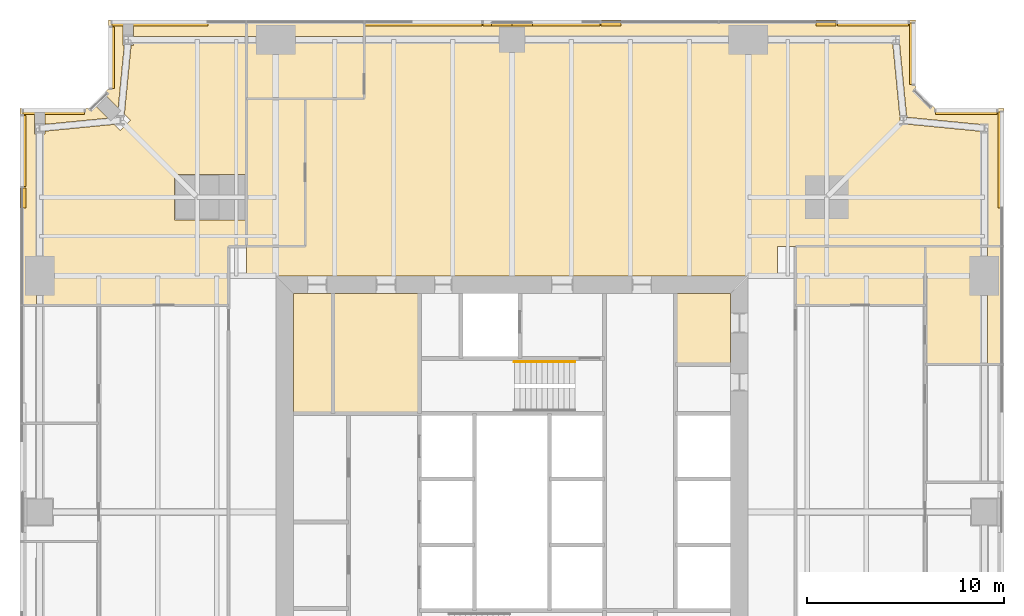
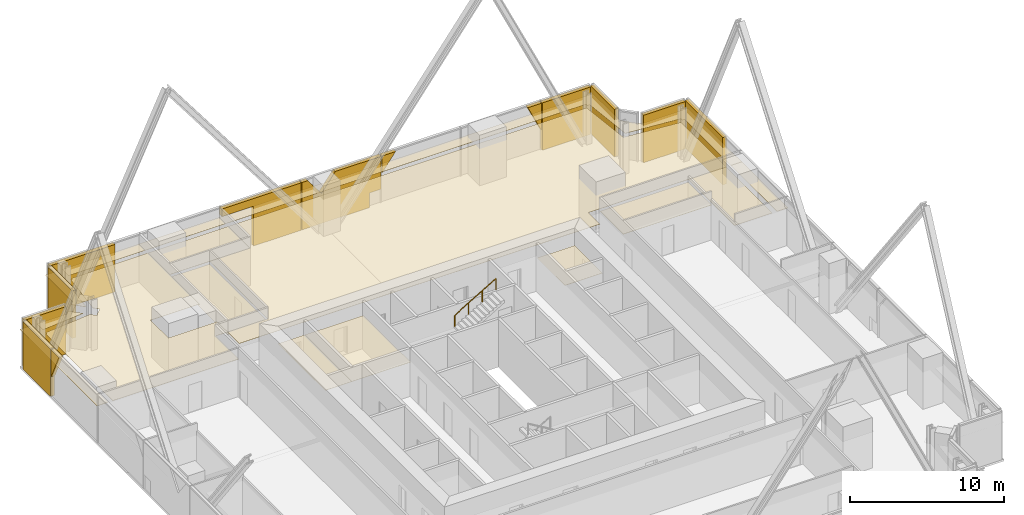
# One storey, part 13 of 13: 29 coverings, 1 railing.
"""IFC4 building model written with IfcOpenShell, lengths in metres."""

import ifcopenshell
import ifcopenshell.guid

model = None  # the IFC model being written
_history = None  # IfcOwnerHistory: only IFC2X3 demands one
_inside = {}  # id of a spatial element -> (the spatial element, [elements in it])
_under = {}  # id of a project, library or spatial element -> (it, [spatial elements below it])
_declared = {}  # id of a project -> (the project, [libraries it declares])
_typed = {}  # id of a type object -> (the type object, [elements of that type])
_made_of = {}  # id of a material, layer set ... -> (it, [elements and type objects made of it])


def new_model(schema):
    """Start an empty IFC model of exactly this schema.

    Asked for "IFC4X3", IfcOpenShell would pick the latest addendum, in which some entities
    have other attributes; the version numbers below select the first issue.
    IFC2X3 requires an IfcOwnerHistory on every rooted entity: one is made here for all.
    """
    global model, _history
    if schema == "IFC4X3":
        model = ifcopenshell.file(schema_version=(4, 3, 0, 0))
    else:
        model = ifcopenshell.file(schema=schema)
    _inside.clear()
    _under.clear()
    _declared.clear()
    _typed.clear()
    _made_of.clear()
    _history = None
    if model.schema == "IFC2X3":
        org = make("IfcOrganization", Name="unknown")
        user = make(
            "IfcPersonAndOrganization",
            ThePerson=make("IfcPerson", FamilyName="unknown"),
            TheOrganization=org,
        )
        app = make(
            "IfcApplication",
            ApplicationDeveloper=org,
            Version="unknown",
            ApplicationFullName="unknown",
            ApplicationIdentifier="unknown",
        )
        _history = make(
            "IfcOwnerHistory",
            OwningUser=user,
            OwningApplication=app,
            ChangeAction="ADDED",
            CreationDate=0,
        )
    return model


def make(cls, **values):
    """One entity of the class cls with the attributes given. An attribute that is None is left unset."""
    return model.create_entity(
        cls, **{name: value for name, value in values.items() if value is not None}
    )


def rooted(cls, **values):
    """An entity with a GlobalId (a new one), such as an element, a storey or a relation."""
    return make(cls, GlobalId=ifcopenshell.guid.new(), OwnerHistory=_history, **values)


def si_unit(unit_type, name, prefix=None):
    """IfcSIUnit, for example si_unit("LENGTHUNIT", "METRE", prefix="MILLI")."""
    return make("IfcSIUnit", UnitType=unit_type, Prefix=prefix, Name=name)


def assignment(units):
    """IfcUnitAssignment: the units of a project."""
    return None if units is None else make("IfcUnitAssignment", Units=units)


def point(xyz):
    """IfcCartesianPoint."""
    return None if xyz is None else make("IfcCartesianPoint", Coordinates=xyz)


def direction(xyz):
    """IfcDirection."""
    return None if xyz is None else make("IfcDirection", DirectionRatios=xyz)


def frame(location, z_axis=None, x_axis=None):
    """IfcAxis2Placement3D, a coordinate frame: its origin and axes. An axis left out is left unset."""
    return make(
        "IfcAxis2Placement3D",
        Location=point(location),
        Axis=direction(z_axis),
        RefDirection=direction(x_axis),
    )


def frame_2d(location, x_axis=None):
    """IfcAxis2Placement2D, a coordinate frame in the plane: its origin and x axis."""
    return make(
        "IfcAxis2Placement2D", Location=point(location), RefDirection=direction(x_axis)
    )


def origin():
    """The frame at (0, 0, 0) with its axes left unset."""
    return frame((0.0, 0.0, 0.0))


def origin_2d():
    """The frame at (0, 0) in the plane with its x axis left unset."""
    return frame_2d((0.0, 0.0))


def place(relative_to, where):
    """IfcLocalPlacement: puts the frame where relative to a parent placement (None: the world)."""
    return make(
        "IfcLocalPlacement", PlacementRelTo=relative_to, RelativePlacement=where
    )


def context(
    kind, dimensions, precision=None, world=None, true_north=None, identifier=None
):
    """IfcGeometricRepresentationContext, for example the 3D "Model" context."""
    return make(
        "IfcGeometricRepresentationContext",
        ContextIdentifier=identifier,
        ContextType=kind,
        CoordinateSpaceDimension=dimensions,
        Precision=precision,
        WorldCoordinateSystem=world,
        TrueNorth=true_north,
    )


def subcontext(parent, identifier, kind, view, scale=None):
    """IfcGeometricRepresentationSubContext, for example "Body" below "Model"."""
    return make(
        "IfcGeometricRepresentationSubContext",
        ContextIdentifier=identifier,
        ContextType=kind,
        ParentContext=parent,
        TargetScale=scale,
        TargetView=view,
    )


def project(units=None, contexts=None):
    """IfcProject with its units and contexts."""
    return rooted(
        "IfcProject",
        Name="project",
        RepresentationContexts=contexts,
        UnitsInContext=assignment(units),
    )


def spatial(cls, under=None, at=None, **own):
    """A site, building, storey or space (cls), placed at a placement, below another one or the project."""
    s = rooted(cls, ObjectPlacement=at, **own)
    if under is not None:
        _under.setdefault(under.id(), (under, []))[1].append(s)
    return s


def polyline(points):
    """IfcPolyline through the points."""
    return make("IfcPolyline", Points=[point(p) for p in points])


def profile(cls, at=None, kind="AREA", **sizes):
    """A parametric profile (cls). Its sizes go by their IFC names, for example OverallWidth=200.0."""
    return make(cls, ProfileType=kind, Position=at, **sizes)


def circle(**sizes):
    """IfcCircleProfileDef."""
    return profile("IfcCircleProfileDef", **sizes)


def outline(outer, holes=None, kind="AREA"):
    """IfcArbitraryClosedProfileDef: a profile drawn as a closed curve; with holes, ...WithVoids."""
    if holes is None:
        return make("IfcArbitraryClosedProfileDef", ProfileType=kind, OuterCurve=outer)
    return make(
        "IfcArbitraryProfileDefWithVoids",
        ProfileType=kind,
        OuterCurve=outer,
        InnerCurves=holes,
    )


def extrude(swept, where, along, depth):
    """IfcExtrudedAreaSolid: the profile swept, set in the frame where, extruded along a direction by depth."""
    return make(
        "IfcExtrudedAreaSolid",
        SweptArea=swept,
        Position=where,
        ExtrudedDirection=direction(along),
        Depth=depth,
    )


def shape(context_of_items, identifier, shape_type, items):
    """IfcShapeRepresentation: the items that make up one representation, for example the "Body"."""
    return make(
        "IfcShapeRepresentation",
        ContextOfItems=context_of_items,
        RepresentationIdentifier=identifier,
        RepresentationType=shape_type,
        Items=items,
    )


def material(Name=None, Category=None):
    """IfcMaterial."""
    return make("IfcMaterial", Name=Name, Category=Category)


def layer(
    of_material, thickness, ventilated=None, Name=None, Category=None, Priority=None
):
    """IfcMaterialLayer: one layer of a wall or slab, of a material (None: an air gap)."""
    return make(
        "IfcMaterialLayer",
        Material=of_material,
        LayerThickness=thickness,
        IsVentilated=ventilated,
        Name=Name,
        Category=Category,
        Priority=Priority,
    )


def layer_set(layers, Name=None):
    """IfcMaterialLayerSet."""
    return make("IfcMaterialLayerSet", MaterialLayers=layers, LayerSetName=Name)


def made_of(thing, what):
    """Note that an element or type object is made of a material, layer set ...; save() writes the relation."""
    if what is not None:
        _made_of.setdefault(what.id(), (what, []))[1].append(thing)
    return thing


def type_object(cls, material=None, **own):
    """A type object (cls), such as IfcWallType, which elements share."""
    return made_of(rooted(cls, **own), material)


def element(
    cls,
    number,
    at=None,
    inside=None,
    cuts=None,
    type_object=None,
    material=None,
    context=None,
    identifier="Body",
    shape_type=None,
    held_by="IfcProductDefinitionShape",
    body=None,
    shapes=None,
    **own,
):
    """One element of the class cls, such as IfcWall. Its Tag is "e" and its number.

    at: its placement. inside: the storey or other place that contains it. cuts: it is an
    opening in that element (IfcRelVoidsElement). A single representation is given by context,
    identifier, shape_type and body (its items); several are given by shapes. held_by: the class
    of the entity that holds the representations. save() writes the other relations.
    """
    e = rooted(cls, Tag="e%d" % number, ObjectPlacement=at, **own)
    if body is not None:
        shapes = [shape(context, identifier, shape_type, body)]
    if shapes is not None:
        e.Representation = make(held_by, Representations=shapes)
    if inside is not None:
        _inside.setdefault(inside.id(), (inside, []))[1].append(e)
    if cuts is not None:
        rooted(
            "IfcRelVoidsElement", RelatingBuildingElement=cuts, RelatedOpeningElement=e
        )
    if type_object is not None:
        _typed.setdefault(type_object.id(), (type_object, []))[1].append(e)
    return made_of(e, material)


def aggregate(whole, parts):
    """IfcRelAggregates: a whole, such as a stair, and the parts it consists of."""
    return rooted("IfcRelAggregates", RelatingObject=whole, RelatedObjects=parts)


def save(model, path):
    """Write the relations noted so far, then the file.

    IfcRelAggregates (storeys below a building ...), IfcRelContainedInSpatialStructure (elements
    in a storey), IfcRelDefinesByType, IfcRelAssociatesMaterial and IfcRelDeclares: one each for
    every whole, place, type object, material and project.
    """
    for whole, parts in _under.values():
        aggregate(whole, parts)
    for where, things in _inside.values():
        rooted(
            "IfcRelContainedInSpatialStructure",
            RelatedElements=things,
            RelatingStructure=where,
        )
    for kind, things in _typed.values():
        rooted("IfcRelDefinesByType", RelatedObjects=things, RelatingType=kind)
    for what, things in _made_of.values():
        rooted("IfcRelAssociatesMaterial", RelatedObjects=things, RelatingMaterial=what)
    for by, libraries in _declared.values():
        rooted("IfcRelDeclares", RelatingContext=by, RelatedDefinitions=libraries)
    model.write(path)


model = new_model("IFC4")

# Units and contexts
model_context = context("Model", 3, precision=1e-05, world=origin(), true_north=direction((0.0, 1.0)))
body_context = subcontext(model_context, "Body", "Model", "MODEL_VIEW")
ifc_project = project(units=[si_unit("LENGTHUNIT", "METRE"), si_unit("AREAUNIT", "SQUARE_METRE"), si_unit("VOLUMEUNIT", "CUBIC_METRE"), si_unit("PLANEANGLEUNIT", "RADIAN"), si_unit("MASSUNIT", "GRAM", prefix="KILO")], contexts=[model_context])

# Site, building, storey
site_placement = place(None, origin())
site = spatial("IfcSite", under=ifc_project, at=site_placement, CompositionType="ELEMENT")
building_placement = place(site_placement, origin())
building = spatial("IfcBuilding", under=site, at=building_placement, Name="Fenwick Lantern Interchange", CompositionType="ELEMENT")
storey_placement = place(building_placement, frame((0.0, 0.0, 146.39990234375)))
storey = spatial("IfcBuildingStorey", under=building, at=storey_placement, Name="L34", CompositionType="ELEMENT", Elevation=146.39990234375)

# Coverings
ifc_material_1 = material(Name="Mineral fibre acoustic tile on suspended grid")
ifc_layer_1 = layer(ifc_material_1, 0.02001953125)
ifc_layer_set_1 = layer_set([ifc_layer_1], Name="ACOUSTIC TILE CEILING 20")
covering_type_1 = type_object("IfcCoveringType", Name="ACOUSTIC TILE CEILING 20", PredefinedType="CEILING", material=ifc_layer_set_1)
covering_1_placement = place(storey_placement, frame((0.0, 0.0, 2.900146484375)))
element("IfcCovering", 1, at=covering_1_placement, inside=storey, type_object=covering_type_1, Name="Office ceiling", PredefinedType="CEILING", context=body_context, shape_type="SweptSolid", body=[
    extrude(outline(polyline([(46.0, 32.5), (48.82763671875, 32.5), (48.82763671875, 37.0), (48.82763671875, 38.5), (46.0, 38.5), (46.0, 32.5)])), origin(), (0.0, 0.0, 1.0), 0.02001953125),
])
covering_2_placement = place(storey_placement, frame((0.0, 0.0, 2.900146484375)))
element("IfcCovering", 2, at=covering_2_placement, inside=storey, type_object=covering_type_1, Name="Office ceiling", PredefinedType="CEILING", context=body_context, shape_type="SweptSolid", body=[
    extrude(outline(polyline([(50.0, 38.5), (49.17236328125, 38.5), (49.17236328125, 37.0), (49.17236328125, 32.5), (50.0, 32.5), (50.0, 38.5)])), origin(), (0.0, 0.0, 1.0), 0.02001953125),
])
covering_3_placement = place(storey_placement, frame((0.0, 0.0, 2.7001953125)))
element("IfcCovering", 3, at=covering_3_placement, inside=storey, type_object=covering_type_1, Name="Print and copy room ceiling", PredefinedType="CEILING", context=body_context, shape_type="SweptSolid", body=[
    extrude(outline(polyline([(46.0, 35.5), (46.0, 38.5), (39.39990234375, 38.5), (39.39990234375, 35.5), (46.0, 35.5)])), origin(), (0.0, 0.0, 1.0), 0.02001953125),
])
covering_4_placement = place(storey_placement, frame((0.0, 0.0, 2.900146484375)))
element("IfcCovering", 4, at=covering_4_placement, inside=storey, type_object=covering_type_1, Name="Open office ceiling", PredefinedType="CEILING", context=body_context, shape_type="SweptSolid", body=[
    extrude(outline(polyline([(38.5, 38.5), (48.82763671875, 38.5), (48.82763671875, 44.343505859375), (44.88330078125, 44.728515625), (44.89990234375, 44.89990234375), (44.728515625, 44.88330078125), (44.343505859375, 48.82763671875), (37.0, 48.82763671875), (25.0, 48.82763671875), (17.5, 48.82763671875), (17.5, 46.0), (14.5, 46.0), (14.5, 38.5), (11.5, 38.5), (11.5, 37.0), (38.5, 37.0), (38.5, 38.5)])), origin(), (0.0, 0.0, 1.0), 0.02001953125),
])
covering_5_placement = place(storey_placement, frame((0.0, 0.0, 2.900146484375)))
element("IfcCovering", 5, at=covering_5_placement, inside=storey, type_object=covering_type_1, Name="Open office ceiling", PredefinedType="CEILING", context=body_context, shape_type="SweptSolid", body=[
    extrude(outline(polyline([(45.5, 46.5), (45.5, 50.0), (17.5, 50.0), (17.5, 49.17236328125), (25.0, 49.17236328125), (37.0, 49.17236328125), (44.5, 49.17236328125), (44.5, 49.0), (44.671630859375, 49.016845703125), (45.057861328125, 45.057861328125), (49.016845703125, 44.671630859375), (49.0, 44.5), (49.17236328125, 44.5), (49.17236328125, 38.5), (50.0, 38.5), (50.0, 45.5), (46.5, 45.5), (45.5, 46.5)])), origin(), (0.0, 0.0, 1.0), 0.02001953125),
])
covering_6_placement = place(storey_placement, frame((0.0, 0.0, 2.900146484375)))
element("IfcCovering", 6, at=covering_6_placement, inside=storey, type_object=covering_type_1, Name="Meeting room ceiling", PredefinedType="CEILING", context=body_context, shape_type="SweptSolid", body=[
    extrude(outline(polyline([(17.5, 46.0), (17.5, 48.82763671875), (13.0, 48.82763671875), (11.5, 48.82763671875), (11.5, 46.0), (17.5, 46.0)])), origin(), (0.0, 0.0, 1.0), 0.02001953125),
])
covering_7_placement = place(storey_placement, frame((0.0, 0.0, 2.900146484375)))
element("IfcCovering", 7, at=covering_7_placement, inside=storey, type_object=covering_type_1, Name="Meeting room ceiling", PredefinedType="CEILING", context=body_context, shape_type="SweptSolid", body=[
    extrude(outline(polyline([(11.5, 50.0), (11.5, 49.17236328125), (13.0, 49.17236328125), (17.5, 49.17236328125), (17.5, 50.0), (11.5, 50.0)])), origin(), (0.0, 0.0, 1.0), 0.02001953125),
])
covering_8_placement = place(storey_placement, frame((0.0, 0.0, 2.900146484375)))
element("IfcCovering", 8, at=covering_8_placement, inside=storey, type_object=covering_type_1, Name="Office study ceiling", PredefinedType="CEILING", context=body_context, shape_type="SweptSolid", body=[
    extrude(outline(polyline([(5.76220703125, 48.71240234375), (5.645263671875, 48.71240234375), (5.303955078125, 45.21630859375), (5.620361328125, 44.89990234375), (5.10009765625, 44.379638671875), (4.78369140625, 44.696044921875), (1.26220703125, 44.352294921875), (1.26220703125, 44.21240234375), (1.17236328125, 44.21240234375), (1.17236328125, 37.0), (1.17236328125, 35.5), (10.60009765625, 35.5), (10.60009765625, 38.5), (11.5, 38.5), (11.5, 39.85009765625), (7.85009765625, 39.85009765625), (7.85009765625, 42.14990234375), (11.5, 42.14990234375), (11.5, 48.82763671875), (5.76220703125, 48.82763671875), (5.76220703125, 48.71240234375)])), origin(), (0.0, 0.0, 1.0), 0.02001953125),
])
covering_9_placement = place(storey_placement, frame((0.0, 0.0, 2.900146484375)))
element("IfcCovering", 9, at=covering_9_placement, inside=storey, type_object=covering_type_1, Name="Office study ceiling", PredefinedType="CEILING", context=body_context, shape_type="SweptSolid", body=[
    extrude(outline(polyline([(0.0, 35.5), (0.82763671875, 35.5), (0.82763671875, 37.0), (0.82763671875, 44.21240234375), (0.73779296875, 44.21240234375), (0.73779296875, 45.5), (0.0, 45.5), (0.0, 35.5)])), origin(), (0.0, 0.0, 1.0), 0.02001953125),
])
covering_10_placement = place(storey_placement, frame((0.0, 0.0, 2.900146484375)))
element("IfcCovering", 10, at=covering_10_placement, inside=storey, type_object=covering_type_1, Name="Office study ceiling", PredefinedType="CEILING", context=body_context, shape_type="SweptSolid", body=[
    extrude(outline(polyline([(5.76220703125, 50.0), (5.76220703125, 49.17236328125), (11.5, 49.17236328125), (11.5, 50.0), (5.76220703125, 50.0)])), origin(), (0.0, 0.0, 1.0), 0.02001953125),
])
covering_11_placement = place(storey_placement, frame((0.0, 0.0, 2.900146484375)))
element("IfcCovering", 11, at=covering_11_placement, inside=storey, type_object=covering_type_1, Name="Office study ceiling", PredefinedType="CEILING", context=body_context, shape_type="SweptSolid", body=[
    extrude(outline(polyline([(5.298828125, 48.71240234375), (5.23779296875, 48.71240234375), (5.23779296875, 50.0), (4.5, 50.0), (4.5, 46.5), (4.26025390625, 46.26025390625), (4.988525390625, 45.531982421875), (5.298828125, 48.71240234375)])), origin(), (0.0, 0.0, 1.0), 0.02001953125),
])
covering_12_placement = place(storey_placement, frame((0.0, 0.0, 2.900146484375)))
element("IfcCovering", 12, at=covering_12_placement, inside=storey, type_object=covering_type_1, Name="Office study ceiling", PredefinedType="CEILING", context=body_context, shape_type="SweptSolid", body=[
    extrude(outline(polyline([(1.26220703125, 45.5), (1.26220703125, 44.69873046875), (4.468017578125, 45.011474609375), (3.73974609375, 45.73974609375), (3.5, 45.5), (1.26220703125, 45.5)])), origin(), (0.0, 0.0, 1.0), 0.02001953125),
])
ifc_material_2 = material(Name="Granite cladding, warm grey flamed finish, on aluminium carrier frame", Category="masonry")
ifc_layer_2 = layer(ifc_material_2, 0.300048828125)
ifc_layer_set_2 = layer_set([ifc_layer_2], Name="BRACE CASING PANEL 300")
covering_type_2 = type_object("IfcCoveringType", Name="BRACE CASING PANEL 300", PredefinedType="CLADDING", material=ifc_layer_set_2)
covering_13_placement = place(storey_placement, frame((49.89990234375, 4.60009765625, 0.0), z_axis=(0.0, 0.0, 1.0), x_axis=(0.0, 1.0, 0.0)))
element("IfcCovering", 13, at=covering_13_placement, inside=storey, type_object=covering_type_2, Name="Brace casing 05 bay 06a", PredefinedType="CLADDING", context=body_context, shape_type="SweptSolid", body=[
    extrude(outline(polyline([(35.8525390625, 0.0), (40.735107421875, 0.0), (40.735107421875, 3.75), (35.8525390625, 3.75), (35.8525390625, 0.0)])), frame((0.0, 0.2001953125, 0.0), z_axis=(0.0, -1.0, 0.0), x_axis=(1.0, 0.0, 0.0)), (0.0, 0.0, 1.0), 0.300048828125),
])
for number, where, z_axis, x_axis, name in (
    (14, (49.89990234375, 45.39990234375, 0.0), (0.0, 0.0, 1.0), (-1.0, 0.0, 0.0), "Brace casing 06 bay 00a"),
    (15, (45.39990234375, 46.45849609375, 0.0), (0.0, 0.0, 1.0), (0.0, 1.0, 0.0), "Brace casing 08 bay 00a"),
):
    element("IfcCovering", number, at=place(storey_placement, frame(where, z_axis=z_axis, x_axis=x_axis)), inside=storey, type_object=covering_type_2, Name=name, PredefinedType="CLADDING", context=body_context, shape_type="SweptSolid", body=[
        extrude(outline(polyline([(0.264892578125, 0.0), (3.37646484375, 0.0), (3.37646484375, 3.75), (0.264892578125, 3.75), (0.264892578125, 0.0)])), frame((0.0, 0.2001953125, 0.0), z_axis=(0.0, -1.0, 0.0), x_axis=(1.0, 0.0, 0.0)), (0.0, 0.0, 1.0), 0.300048828125),
    ])
covering_14_placement = place(storey_placement, frame((45.39990234375, 49.89990234375, 0.0), z_axis=(0.0, 0.0, 1.0), x_axis=(-1.0, 0.0, 0.0)))
element("IfcCovering", 16, at=covering_14_placement, inside=storey, type_object=covering_type_2, Name="Brace casing 09 bay 00a", PredefinedType="CLADDING", context=body_context, shape_type="SweptSolid", body=[
    extrude(outline(polyline([(0.264892578125, 0.0), (3.867431640625, 0.0), (3.867431640625, 3.75), (0.264892578125, 3.75), (0.264892578125, 0.0)])), frame((0.0, 0.2001953125, 0.0), z_axis=(0.0, -1.0, 0.0), x_axis=(1.0, 0.0, 0.0)), (0.0, 0.0, 1.0), 0.300048828125),
])
covering_15_placement = place(storey_placement, frame((45.39990234375, 49.89990234375, 1.60107421875), z_axis=(0.0, 0.0, 1.0), x_axis=(-1.0, 0.0, 0.0)))
element("IfcCovering", 17, at=covering_15_placement, inside=storey, type_object=covering_type_2, Name="Brace casing 09 bay 01a", PredefinedType="CLADDING", context=body_context, shape_type="SweptSolid", body=[
    extrude(outline(polyline([(3.9326171875, 0.0), (4.947265625, 2.14892578125), (3.9326171875, 2.14892578125), (3.9326171875, 0.0)])), frame((0.0, 0.2001953125, 0.0), z_axis=(0.0, -1.0, 0.0), x_axis=(1.0, 0.0, 0.0)), (0.0, 0.0, 1.0), 0.300048828125),
])
covering_16_placement = place(storey_placement, frame((45.39990234375, 49.89990234375, 2.40771484375), z_axis=(0.0, 0.0, 1.0), x_axis=(-1.0, 0.0, 0.0)))
element("IfcCovering", 18, at=covering_16_placement, inside=storey, type_object=covering_type_2, Name="Brace casing 09 bay 02a", PredefinedType="CLADDING", context=body_context, shape_type="SweptSolid", body=[
    extrude(outline(polyline([(15.867431640625, 0.0), (15.867431640625, 1.34228515625), (14.853515625, 1.34228515625), (15.867431640625, 0.0)])), frame((0.0, 0.2001953125, 0.0), z_axis=(0.0, -1.0, 0.0), x_axis=(1.0, 0.0, 0.0)), (0.0, 0.0, 1.0), 0.300048828125),
])
covering_17_placement = place(storey_placement, frame((45.39990234375, 49.89990234375, 0.0), z_axis=(0.0, 0.0, 1.0), x_axis=(-1.0, 0.0, 0.0)))
element("IfcCovering", 19, at=covering_17_placement, inside=storey, type_object=covering_type_2, Name="Brace casing 09 bay 03a", PredefinedType="CLADDING", context=body_context, shape_type="SweptSolid", body=[
    extrude(outline(polyline([(16.8076171875, 0.0), (21.867431640625, 0.0), (21.867431640625, 3.75), (21.434814453125, 3.75), (20.39990234375, 2.38037109375), (19.365234375, 3.75), (15.9326171875, 3.75), (15.9326171875, 1.16357421875), (16.8076171875, 1.16357421875), (16.8076171875, 0.0)])), frame((0.0, 0.2001953125, 0.0), z_axis=(0.0, -1.0, 0.0), x_axis=(1.0, 0.0, 0.0)), (0.0, 0.0, 1.0), 0.300048828125),
])
covering_18_placement = place(storey_placement, frame((45.39990234375, 49.89990234375, 0.0), z_axis=(0.0, 0.0, 1.0), x_axis=(-1.0, 0.0, 0.0)))
element("IfcCovering", 20, at=covering_18_placement, inside=storey, type_object=covering_type_2, Name="Brace casing 09 bay 04a", PredefinedType="CLADDING", context=body_context, shape_type="SweptSolid", body=[
    extrude(outline(polyline([(21.9326171875, 0.0), (25.48876953125, 0.0), (25.48876953125, 3.14404296875), (27.867431640625, 3.14404296875), (27.867431640625, 3.75), (21.9326171875, 3.75), (21.9326171875, 0.0)])), frame((0.0, 0.2001953125, 0.0), z_axis=(0.0, -1.0, 0.0), x_axis=(1.0, 0.0, 0.0)), (0.0, 0.0, 1.0), 0.300048828125),
])
covering_19_placement = place(storey_placement, frame((45.39990234375, 49.89990234375, 0.0), z_axis=(0.0, 0.0, 1.0), x_axis=(-1.0, 0.0, 0.0)))
element("IfcCovering", 21, at=covering_19_placement, inside=storey, type_object=covering_type_2, Name="Brace casing 09 bay 06a", PredefinedType="CLADDING", context=body_context, shape_type="SweptSolid", body=[
    extrude(outline(polyline([(35.8525390625, 0.0), (40.735107421875, 0.0), (40.735107421875, 3.75), (35.8525390625, 3.75), (35.8525390625, 0.0)])), frame((0.0, 0.2001953125, 0.0), z_axis=(0.0, -1.0, 0.0), x_axis=(1.0, 0.0, 0.0)), (0.0, 0.0, 1.0), 0.300048828125),
])
for number, where, z_axis, x_axis, name in (
    (22, (4.60009765625, 49.89990234375, 0.0), (0.0, 0.0, 1.0), (0.0, -1.0, 0.0), "Brace casing 10 bay 00a"),
    (23, (3.54150390625, 45.39990234375, 0.0), (0.0, 0.0, 1.0), (-1.0, 0.0, 0.0), "Brace casing 12 bay 00a"),
):
    element("IfcCovering", number, at=place(storey_placement, frame(where, z_axis=z_axis, x_axis=x_axis)), inside=storey, type_object=covering_type_2, Name=name, PredefinedType="CLADDING", context=body_context, shape_type="SweptSolid", body=[
        extrude(outline(polyline([(0.264892578125, 0.0), (3.37646484375, 0.0), (3.37646484375, 3.75), (0.264892578125, 3.75), (0.264892578125, 0.0)])), frame((0.0, 0.2001953125, 0.0), z_axis=(0.0, -1.0, 0.0), x_axis=(1.0, 0.0, 0.0)), (0.0, 0.0, 1.0), 0.300048828125),
    ])
covering_20_placement = place(storey_placement, frame((0.10009765625, 45.39990234375, 0.0), z_axis=(0.0, 0.0, 1.0), x_axis=(0.0, -1.0, 0.0)))
element("IfcCovering", 24, at=covering_20_placement, inside=storey, type_object=covering_type_2, Name="Brace casing 13 bay 00a", PredefinedType="CLADDING", context=body_context, shape_type="SweptSolid", body=[
    extrude(outline(polyline([(0.264892578125, 0.0), (3.867431640625, 0.0), (3.867431640625, 3.75), (0.264892578125, 3.75), (0.264892578125, 0.0)])), frame((0.0, 0.2001953125, 0.0), z_axis=(0.0, -1.0, 0.0), x_axis=(1.0, 0.0, 0.0)), (0.0, 0.0, 1.0), 0.300048828125),
])
covering_21_placement = place(storey_placement, frame((0.10009765625, 45.39990234375, 1.60107421875), z_axis=(0.0, 0.0, 1.0), x_axis=(0.0, -1.0, 0.0)))
element("IfcCovering", 25, at=covering_21_placement, inside=storey, type_object=covering_type_2, Name="Brace casing 13 bay 01a", PredefinedType="CLADDING", context=body_context, shape_type="SweptSolid", body=[
    extrude(outline(polyline([(3.9326171875, 0.0), (4.947265625, 2.14892578125), (3.9326171875, 2.14892578125), (3.9326171875, 0.0)])), frame((0.0, 0.2001953125, 0.0), z_axis=(0.0, -1.0, 0.0), x_axis=(1.0, 0.0, 0.0)), (0.0, 0.0, 1.0), 0.300048828125),
])

# Railing
ifc_material_3 = material(Name="Stainless steel handrail", Category="steel")
railing_type = type_object("IfcRailingType", Name="HANDRAIL 900", PredefinedType="HANDRAIL", material=ifc_material_3)
railing_placement = place(storey_placement, frame((25.1201171875, 32.6259765625, 2.166748046875)))
element("IfcRailing", 26, at=railing_placement, inside=storey, type_object=railing_type, Name="L34/STAIR/ST2/HR2", PredefinedType="HANDRAIL", context=body_context, shape_type="SweptSolid", body=[
    extrude(circle(Radius=0.02392578125, at=origin_2d()), frame((0.0, 0.0, 0.8759765625), z_axis=(0.859290745958, 0.0, 0.51148745235), x_axis=(0.0, 1.0, 0.0)), (0.0, 0.0, 1.0), 3.584228515625),
    extrude(circle(Radius=0.02099609375, at=origin_2d()), origin(), (0.0, 0.0, 1.0), 0.851806640625),
    extrude(circle(Radius=0.02099609375, at=origin_2d()), frame((1.026611328125, 0.0, 0.611083984375)), (0.0, 0.0, 1.0), 0.851806640625),
    extrude(circle(Radius=0.02099609375, at=origin_2d()), frame((2.05322265625, 0.0, 1.22216796875)), (0.0, 0.0, 1.0), 0.851806640625),
    extrude(circle(Radius=0.02099609375, at=origin_2d()), frame((3.079833984375, 0.0, 1.833251953125)), (0.0, 0.0, 1.0), 0.851806640625),
])

# Coverings
ifc_material_4 = material(Name="Moisture resistant gypsum board on suspended frame, painted")
ifc_layer_3 = layer(ifc_material_4, 0.014892578125)
ifc_layer_set_3 = layer_set([ifc_layer_3], Name="MOISTURE RESISTANT CEILING 15")
covering_type_3 = type_object("IfcCoveringType", Name="MOISTURE RESISTANT CEILING 15", PredefinedType="CEILING", material=ifc_layer_set_3)
covering_22_placement = place(storey_placement, frame((0.0, 0.0, 2.60009765625)))
element("IfcCovering", 27, at=covering_22_placement, inside=storey, type_object=covering_type_3, Name="Women's WC ceiling", PredefinedType="CEILING", context=body_context, shape_type="SweptSolid", body=[
    extrude(outline(polyline([(20.300048828125, 36.10009765625), (15.89990234375, 36.10009765625), (15.89990234375, 30.0), (20.300048828125, 30.0), (20.300048828125, 36.10009765625)])), origin(), (0.0, 0.0, 1.0), 0.014892578125),
])
covering_23_placement = place(storey_placement, frame((0.0, 0.0, 2.60009765625)))
element("IfcCovering", 28, at=covering_23_placement, inside=storey, type_object=covering_type_3, Name="Men's WC ceiling", PredefinedType="CEILING", context=body_context, shape_type="SweptSolid", body=[
    extrude(outline(polyline([(15.89990234375, 36.10009765625), (13.89990234375, 36.10009765625), (13.89990234375, 30.0), (15.89990234375, 30.0), (15.89990234375, 36.10009765625)])), origin(), (0.0, 0.0, 1.0), 0.014892578125),
])
covering_24_placement = place(storey_placement, frame((0.0, 0.0, 2.60009765625)))
element("IfcCovering", 29, at=covering_24_placement, inside=storey, type_object=covering_type_3, Name="Accessible WC and shower ceiling", PredefinedType="CEILING", context=body_context, shape_type="SweptSolid", body=[
    extrude(outline(polyline([(36.10009765625, 36.10009765625), (33.300048828125, 36.10009765625), (33.300048828125, 32.5), (36.10009765625, 32.5), (36.10009765625, 36.10009765625)])), origin(), (0.0, 0.0, 1.0), 0.014892578125),
])
covering_25_placement = place(storey_placement, frame((0.0, 0.0, 2.7001953125)))
element("IfcCovering", 30, at=covering_25_placement, inside=storey, type_object=covering_type_3, Name="Pantry ceiling", PredefinedType="CEILING", context=body_context, shape_type="SweptSolid", body=[
    extrude(outline(polyline([(14.5, 46.0), (11.5, 46.0), (11.5, 38.5), (14.5, 38.5), (14.5, 46.0)])), origin(), (0.0, 0.0, 1.0), 0.014892578125),
])

save(model, "model.ifc")
